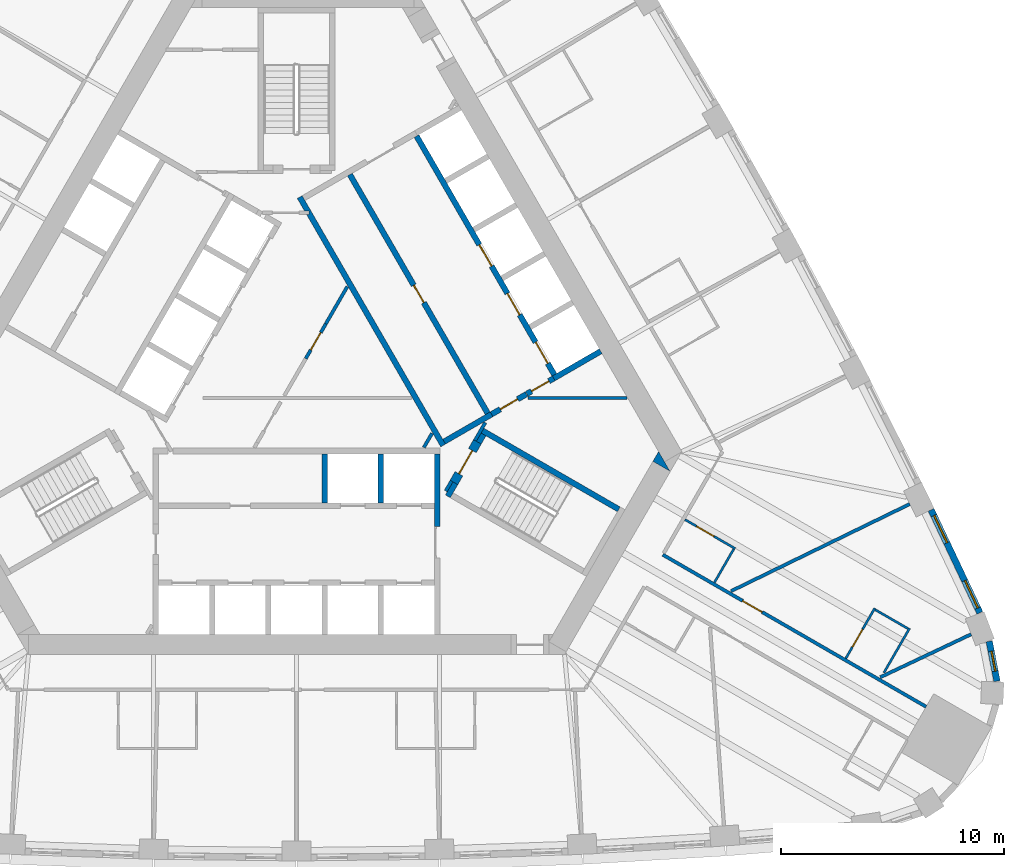
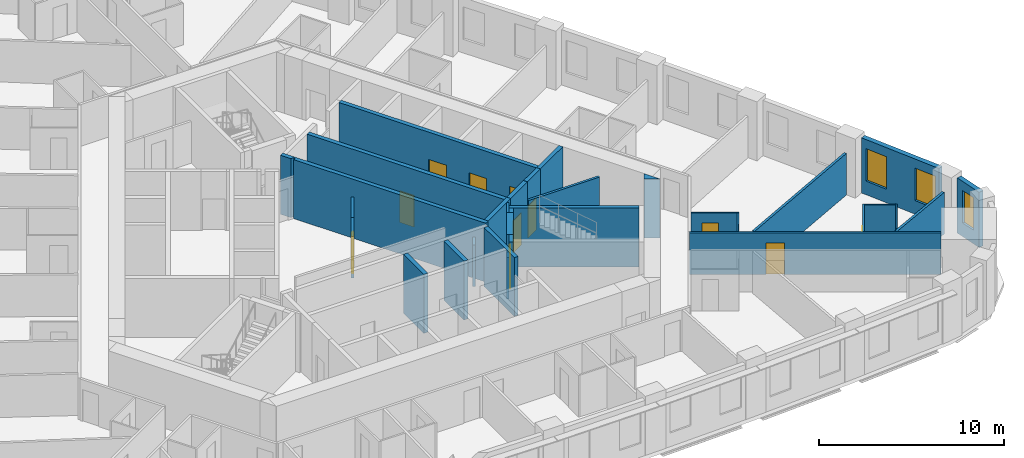
# One storey, part 8 of 13: 31 walls, 11 doors, 3 windows, 14 openings.
"""IFC4 building model written with IfcOpenShell, lengths in metres."""

from ifc_helpers import new_model, si_unit, direction, frame, frame_2d, origin, place, context, subcontext, project, spatial, polyline, rectangle, outline, extrude, material, layer, layer_set, type_object, element, fill, save


model = new_model("IFC4")

# Units and contexts
model_context = context("Model", 3, precision=1e-05, world=origin(), true_north=direction((0.0, 1.0)))
body_context = subcontext(model_context, "Body", "Model", "MODEL_VIEW")
ifc_project = project(units=[si_unit("LENGTHUNIT", "METRE"), si_unit("AREAUNIT", "SQUARE_METRE"), si_unit("VOLUMEUNIT", "CUBIC_METRE"), si_unit("PLANEANGLEUNIT", "RADIAN"), si_unit("MASSUNIT", "GRAM", prefix="KILO")], contexts=[model_context])

# Site, building, storey
site_placement = place(None, origin())
site = spatial("IfcSite", under=ifc_project, at=site_placement, CompositionType="ELEMENT")
building_placement = place(site_placement, origin())
building = spatial("IfcBuilding", under=site, at=building_placement, Name="Mestral Congress Tower", CompositionType="ELEMENT")
storey_placement = place(building_placement, frame((0.0, 0.0, 99.300048828125)))
storey = spatial("IfcBuildingStorey", under=building, at=storey_placement, Name="L23", CompositionType="ELEMENT", Elevation=99.300048828125)

# Walls
ifc_material_1 = material(Name="Fire-rated board partition")
ifc_layer_1 = layer(ifc_material_1, 0.14990234375)
ifc_layer_set_1 = layer_set([ifc_layer_1], Name="Fire-rated board partition")
wall_type_1 = type_object("IfcWallType", Name="Core partition 150", PredefinedType="PARTITIONING", material=ifc_layer_set_1)
wall_1_placement = place(storey_placement, frame((6.94482421875, -5.22216796875, 0.0), z_axis=(0.0, 0.0, 1.0), x_axis=(-0.499818422106, -0.866130212453, 0.0)))
element("IfcWall", 1, at=wall_1_placement, inside=storey, type_object=wall_type_1, Name="L23 core wall", PredefinedType="PARTITIONING", context=body_context, shape_type="SweptSolid", body=[
    extrude(rectangle(XDim=0.513916015625, YDim=0.14990234375, at=frame_2d((0.2568359375, 0.0))), origin(), (0.0, 0.0, 1.0), 2.75),
])
wall_2_placement = place(storey_placement, frame((5.704833984375, -3.718017578125, 0.0), z_axis=(0.0, 0.0, 1.0), x_axis=(0.499962090823, 0.866047289552, 0.0)))
element("IfcWall", 2, at=wall_2_placement, inside=storey, type_object=wall_type_1, Name="L23 core wall", PredefinedType="PARTITIONING", context=body_context, shape_type="SweptSolid", body=[
    extrude(rectangle(XDim=0.73486328125, YDim=0.14990234375, at=frame_2d((0.367431640625, 0.0))), origin(), (0.0, 0.0, 1.0), 2.75),
])
wall_3_placement = place(storey_placement, frame((10.362060546875, -1.5, 0.0), z_axis=(0.0, 0.0, 1.0), x_axis=(1.0, 0.0, 0.0)))
element("IfcWall", 3, at=wall_3_placement, inside=storey, type_object=wall_type_1, Name="L23 core wall", PredefinedType="PARTITIONING", context=body_context, shape_type="SweptSolid", body=[
    extrude(rectangle(XDim=4.439208984375, YDim=0.14990234375, at=frame_2d((2.2197265625, 0.0))), origin(), (0.0, 0.0, 1.0), 2.75),
])
wall_4_placement = place(storey_placement, frame((1.311767578125, 1.822021484375, 0.0), z_axis=(0.0, 0.0, 1.0), x_axis=(0.500003549559, 0.866023354436, 0.0)))
element("IfcWall", 4, at=wall_4_placement, inside=storey, type_object=wall_type_1, Name="L23 core wall", PredefinedType="PARTITIONING", context=body_context, shape_type="SweptSolid", body=[
    extrude(rectangle(XDim=1.9296875, YDim=0.14990234375, at=frame_2d((0.96484375, 0.0))), origin(), (0.0, 0.0, 1.0), 2.75),
])

# Wall, opening, door
wall_5_placement = place(storey_placement, frame((0.41162109375, 0.26318359375, 0.0), z_axis=(0.0, 0.0, 1.0), x_axis=(0.500062916607, 0.865989075817, 0.0)))
wall_5 = element("IfcWall", 5, at=wall_5_placement, inside=storey, type_object=wall_type_1, Name="L23 door wall", PredefinedType="PARTITIONING", context=body_context, shape_type="SweptSolid", body=[
    extrude(rectangle(XDim=1.800048828125, YDim=0.14990234375, at=frame_2d((0.89990234375, 0.0))), origin(), (0.0, 0.0, 1.0), 2.75),
])
opening_1_placement = place(wall_5_placement, frame((0.449951171875, 0.0, 0.0)))
opening_1 = element("IfcOpeningElement", 6, at=opening_1_placement, cuts=wall_5, Name="Opening SD-HUB1", PredefinedType="OPENING", context=body_context, shape_type="SweptSolid", body=[
    extrude(rectangle(XDim=0.89990234375, YDim=2.10009765625, at=frame_2d((0.449951171875, 1.050048828125))), frame((0.0, 0.0849609375, 0.0), z_axis=(0.0, -1.0, 0.0), x_axis=(1.0, 0.0, 0.0)), (0.0, 0.0, 1.0), 0.169921875),
])
ifc_material_2 = material(Name="Fire-rated steel door set", Category="steel")
door_type_1 = type_object("IfcDoorType", Name="Core door SR 900x2100", OperationType="SINGLE_SWING_LEFT", PredefinedType="DOOR", material=ifc_material_2)
door_1_placement = place(opening_1_placement, origin())
door_1 = element("IfcDoor", 7, at=door_1_placement, inside=storey, type_object=door_type_1, Name="Door SD-HUB1", OperationType="SINGLE_SWING_LEFT", OverallHeight=2.10009765625, OverallWidth=0.89990234375, PredefinedType="DOOR", context=body_context, shape_type="SweptSolid", body=[
    extrude(rectangle(XDim=0.89990234375, YDim=2.10009765625, at=frame_2d((0.449951171875, 1.050048828125))), frame((0.0, 0.02490234375, 0.0), z_axis=(0.0, -1.0, 0.0), x_axis=(1.0, 0.0, 0.0)), (0.0, 0.0, 1.0), 0.050048828125),
])
fill(opening_1, door_1)

# Wall
ifc_material_3 = material(Name="Concrete C60/75", Category="concrete")
ifc_layer_2 = layer(ifc_material_3, 0.89990234375)
ifc_layer_set_2 = layer_set([ifc_layer_2], Name="Concrete C60/75")
wall_type_2 = type_object("IfcWallType", Name="Core wall RC 900", PredefinedType="SOLIDWALL", material=ifc_layer_set_2)
placement = place(storey_placement, origin())
element("IfcWall", 8, at=placement, inside=storey, type_object=wall_type_2, Name="L23 core wall", PredefinedType="SOLIDWALL", context=body_context, shape_type="SweptSolid", body=[
    extrude(outline(polyline([(16.223388671875, -3.900146484375), (16.731689453125, -4.780029296875), (15.969482421875, -4.340087890625), (16.223388671875, -3.900146484375)])), origin(), (0.0, 0.0, 1.0), 3.89990234375),
])

# Wall, opening, window
ifc_material_4 = material(Name="Precast concrete C40/50 with limestone facing", Category="masonry")
ifc_layer_3 = layer(ifc_material_4, 0.2900390625)
ifc_layer_set_3 = layer_set([ifc_layer_3], Name="Precast concrete C40/50 with limestone facing")
wall_type_3 = type_object("IfcWallType", Name="Facade stone wall 290", PredefinedType="SOLIDWALL", material=ifc_layer_set_3)
wall_7_placement = place(storey_placement, frame((31.385498046875, -14.189208984375, 0.0), z_axis=(0.0, 0.0, 1.0), x_axis=(-0.190409913989, 0.981704672829, 0.0)))
wall_7 = element("IfcWall", 9, at=wall_7_placement, inside=storey, type_object=wall_type_3, Name="Facade wall K0-3", PredefinedType="SOLIDWALL", context=body_context, shape_type="SweptSolid", body=[
    extrude(rectangle(XDim=1.8193359375, YDim=0.2900390625, at=frame_2d((0.90966796875, 0.0))), origin(), (0.0, 0.0, 1.0), 3.64990234375),
])
opening_2_placement = place(wall_7_placement, frame((0.459716796875, 0.0, 0.89990234375)))
opening_2 = element("IfcOpeningElement", 10, at=opening_2_placement, cuts=wall_7, Name="Opening W3", PredefinedType="OPENING", context=body_context, shape_type="SweptSolid", body=[
    extrude(rectangle(XDim=0.89990234375, YDim=2.14990234375, at=frame_2d((0.449951171875, 1.074951171875))), frame((0.0, 0.155029296875, 0.0), z_axis=(0.0, -1.0, 0.0), x_axis=(1.0, 0.0, 0.0)), (0.0, 0.0, 1.0), 0.31005859375),
])
ifc_material_5 = material(Name="Clear low-emissivity double glazing", Category="glass")
window_type_1 = type_object("IfcWindowType", Name="Facade punched window 900 x 2150 sill 900", PartitioningType="SINGLE_PANEL", PredefinedType="WINDOW", material=ifc_material_5)
window_1_placement = place(opening_2_placement, origin())
window_1 = element("IfcWindow", 11, at=window_1_placement, inside=storey, type_object=window_type_1, Name="Window K0-3", OverallHeight=2.14990234375, OverallWidth=0.89990234375, PartitioningType="SINGLE_PANEL", PredefinedType="WINDOW", context=body_context, shape_type="SweptSolid", body=[
    extrude(rectangle(XDim=0.89990234375, YDim=2.14990234375, at=frame_2d((0.449951171875, 1.074951171875))), frame((0.0, 0.01513671875, 0.0), z_axis=(0.0, -1.0, 0.0), x_axis=(1.0, 0.0, 0.0)), (0.0, 0.0, 1.0), 0.06005859375),
])
fill(opening_2, window_1)

# Wall, openings, windows
wall_8_placement = place(storey_placement, frame((30.61962890625, -11.127197265625, 0.0), z_axis=(0.0, 0.0, 1.0), x_axis=(-0.427543726596, 0.903994669148, 0.0)))
wall_8 = element("IfcWall", 12, at=wall_8_placement, inside=storey, type_object=wall_type_3, Name="Facade wall F1-00", PredefinedType="SOLIDWALL", context=body_context, shape_type="SweptSolid", body=[
    extrude(rectangle(XDim=5.106689453125, YDim=0.2900390625, at=frame_2d((2.55322265625, 0.0))), origin(), (0.0, 0.0, 1.0), 3.64990234375),
])
opening_3_placement = place(wall_8_placement, frame((0.240478515625, 0.0, 0.89990234375)))
opening_3 = element("IfcOpeningElement", 13, at=opening_3_placement, cuts=wall_8, Name="Opening W2", PredefinedType="OPENING", context=body_context, shape_type="SweptSolid", body=[
    extrude(rectangle(XDim=1.35009765625, YDim=2.14990234375, at=frame_2d((0.675048828125, 1.074951171875))), frame((0.0, 0.155029296875, 0.0), z_axis=(0.0, -1.0, 0.0), x_axis=(1.0, 0.0, 0.0)), (0.0, 0.0, 1.0), 0.31005859375),
])
opening_4_placement = place(wall_8_placement, frame((3.47119140625, 0.0, 0.89990234375)))
opening_4 = element("IfcOpeningElement", 14, at=opening_4_placement, cuts=wall_8, Name="Opening W2", PredefinedType="OPENING", context=body_context, shape_type="SweptSolid", body=[
    extrude(rectangle(XDim=1.35009765625, YDim=2.14990234375, at=frame_2d((0.675048828125, 1.074951171875))), frame((0.0, 0.155029296875, 0.0), z_axis=(0.0, -1.0, 0.0), x_axis=(1.0, 0.0, 0.0)), (0.0, 0.0, 1.0), 0.31005859375),
])
window_type_2 = type_object("IfcWindowType", Name="Facade punched window 1350 x 2150 sill 900", PartitioningType="DOUBLE_PANEL_VERTICAL", PredefinedType="WINDOW", material=ifc_material_5)
window_2_placement = place(opening_3_placement, origin())
window_2 = element("IfcWindow", 15, at=window_2_placement, inside=storey, type_object=window_type_2, Name="Window F1-00a", OverallHeight=2.14990234375, OverallWidth=1.35009765625, PartitioningType="DOUBLE_PANEL_VERTICAL", PredefinedType="WINDOW", context=body_context, shape_type="SweptSolid", body=[
    extrude(rectangle(XDim=1.35009765625, YDim=2.14990234375, at=frame_2d((0.675048828125, 1.074951171875))), frame((0.0, 0.01513671875, 0.0), z_axis=(0.0, -1.0, 0.0), x_axis=(1.0, 0.0, 0.0)), (0.0, 0.0, 1.0), 0.06005859375),
])
fill(opening_3, window_2)
window_3_placement = place(opening_4_placement, origin())
window_3 = element("IfcWindow", 16, at=window_3_placement, inside=storey, type_object=window_type_2, Name="Window F1-00b", OverallHeight=2.14990234375, OverallWidth=1.35009765625, PartitioningType="DOUBLE_PANEL_VERTICAL", PredefinedType="WINDOW", context=body_context, shape_type="SweptSolid", body=[
    extrude(rectangle(XDim=1.35009765625, YDim=2.14990234375, at=frame_2d((0.675048828125, 1.074951171875))), frame((0.0, 0.01513671875, 0.0), z_axis=(0.0, -1.0, 0.0), x_axis=(1.0, 0.0, 0.0)), (0.0, 0.0, 1.0), 0.06005859375),
])
fill(opening_4, window_3)

# Wall, opening, door
ifc_material_6 = material(Name="Gypsum board partition on metal studs with mineral wool", Category="composite")
ifc_layer_4 = layer(ifc_material_6, 0.10009765625)
ifc_layer_set_4 = layer_set([ifc_layer_4], Name="Gypsum board partition on metal studs with mineral wool")
wall_type_4 = type_object("IfcWallType", Name="Hotel partition wall 100", PredefinedType="PARTITIONING", material=ifc_layer_set_4)
wall_9_placement = place(storey_placement, frame((25.91015625, -10.917724609375, 0.0), z_axis=(0.0, 0.0, 1.0), x_axis=(-0.500006934395, -0.866021400173, 0.0)))
wall_9 = element("IfcWall", 17, at=wall_9_placement, inside=storey, type_object=wall_type_4, Name="L23-h-pod09a", PredefinedType="PARTITIONING", context=body_context, shape_type="SweptSolid", body=[
    extrude(rectangle(XDim=2.60009765625, YDim=0.10009765625, at=frame_2d((1.300048828125, 0.0))), origin(), (0.0, 0.0, 1.0), 2.75),
])
opening_5_placement = place(wall_9_placement, frame((1.10009765625, 0.0, 0.0)))
opening_5 = element("IfcOpeningElement", 18, at=opening_5_placement, cuts=wall_9, Name="Opening H07-018", PredefinedType="OPENING", context=body_context, shape_type="SweptSolid", body=[
    extrude(rectangle(XDim=0.89990234375, YDim=2.10009765625, at=frame_2d((0.449951171875, 1.050048828125))), frame((0.0, 0.06005859375, 0.0), z_axis=(0.0, -1.0, 0.0), x_axis=(1.0, 0.0, 0.0)), (0.0, 0.0, 1.0), 0.1201171875),
])
ifc_material_7 = material(Name="Timber veneer door leaf in timber frame", Category="wood")
door_type_2 = type_object("IfcDoorType", Name="Bathroom door 900", OperationType="SINGLE_SWING_LEFT", PredefinedType="DOOR", material=ifc_material_7)
door_2_placement = place(opening_5_placement, origin())
door_2 = element("IfcDoor", 19, at=door_2_placement, inside=storey, type_object=door_type_2, Name="L23-h-d018", OperationType="SINGLE_SWING_RIGHT", OverallHeight=2.10009765625, OverallWidth=0.89990234375, PredefinedType="DOOR", context=body_context, shape_type="SweptSolid", body=[
    extrude(rectangle(XDim=0.89990234375, YDim=2.10009765625, at=frame_2d((0.449951171875, 1.050048828125))), frame((0.0, 0.02490234375, 0.0), z_axis=(0.0, -1.0, 0.0), x_axis=(1.0, 0.0, 0.0)), (0.0, 0.0, 1.0), 0.050048828125),
])
fill(opening_5, door_2)

# Walls
wall_10_placement = place(storey_placement, frame((25.928466796875, -10.986083984375, 0.0), z_axis=(0.0, 0.0, 1.0), x_axis=(0.866025371046, -0.500000056704, 0.0)))
element("IfcWall", 20, at=wall_10_placement, inside=storey, type_object=wall_type_4, Name="L23-h-pod09b", PredefinedType="PARTITIONING", context=body_context, shape_type="SweptSolid", body=[
    extrude(rectangle(XDim=1.7001953125, YDim=0.10009765625, at=frame_2d((0.85009765625, 0.0))), origin(), (0.0, 0.0, 1.0), 2.75),
])
wall_11_placement = place(storey_placement, frame((26.319091796875, -13.809814453125, 0.0), z_axis=(0.0, 0.0, 1.0), x_axis=(0.499952165731, 0.866053019151, 0.0)))
element("IfcWall", 21, at=wall_11_placement, inside=storey, type_object=wall_type_4, Name="L23-h-pod09c", PredefinedType="PARTITIONING", context=body_context, shape_type="SweptSolid", body=[
    extrude(rectangle(XDim=2.300048828125, YDim=0.10009765625, at=frame_2d((1.14990234375, 0.0))), origin(), (0.0, 0.0, 1.0), 2.75),
])

# Wall, opening, door
wall_12_placement = place(storey_placement, frame((19.658935546875, -8.249755859375, 0.0), z_axis=(0.0, 0.0, 1.0), x_axis=(-0.866021400173, 0.500006934395, 0.0)))
wall_12 = element("IfcWall", 22, at=wall_12_placement, inside=storey, type_object=wall_type_4, Name="L23-h-pod10a", PredefinedType="PARTITIONING", context=body_context, shape_type="SweptSolid", body=[
    extrude(rectangle(XDim=2.60009765625, YDim=0.10009765625, at=frame_2d((1.300048828125, 0.0))), origin(), (0.0, 0.0, 1.0), 2.75),
])
opening_6_placement = place(wall_12_placement, frame((1.10009765625, 0.0, 0.0)))
opening_6 = element("IfcOpeningElement", 23, at=opening_6_placement, cuts=wall_12, Name="Opening H07-020", PredefinedType="OPENING", context=body_context, shape_type="SweptSolid", body=[
    extrude(rectangle(XDim=0.89990234375, YDim=2.10009765625, at=frame_2d((0.449951171875, 1.050048828125))), frame((0.0, 0.06005859375, 0.0), z_axis=(0.0, -1.0, 0.0), x_axis=(1.0, 0.0, 0.0)), (0.0, 0.0, 1.0), 0.1201171875),
])
door_3_placement = place(opening_6_placement, origin())
door_3 = element("IfcDoor", 24, at=door_3_placement, inside=storey, type_object=door_type_2, Name="L23-h-d020", OperationType="SINGLE_SWING_LEFT", OverallHeight=2.10009765625, OverallWidth=0.89990234375, PredefinedType="DOOR", context=body_context, shape_type="SweptSolid", body=[
    extrude(rectangle(XDim=0.89990234375, YDim=2.10009765625, at=frame_2d((0.449951171875, 1.050048828125))), frame((0.0, 0.02490234375, 0.0), z_axis=(0.0, -1.0, 0.0), x_axis=(1.0, 0.0, 0.0)), (0.0, 0.0, 1.0), 0.050048828125),
])
fill(opening_6, door_3)

# Wall
wall_13_placement = place(storey_placement, frame((19.590576171875, -8.26806640625, 0.0), z_axis=(0.0, 0.0, 1.0), x_axis=(-0.500040090343, -0.866002256377, 0.0)))
element("IfcWall", 25, at=wall_13_placement, inside=storey, type_object=wall_type_4, Name="L23-h-pod10b", PredefinedType="PARTITIONING", context=body_context, shape_type="SweptSolid", body=[
    extrude(rectangle(XDim=1.729736328125, YDim=0.10009765625, at=frame_2d((0.86474609375, 0.0))), origin(), (0.0, 0.0, 1.0), 2.75),
])

# Wall, opening, door
ifc_layer_5 = layer(ifc_material_6, 0.14990234375)
ifc_layer_set_5 = layer_set([ifc_layer_5], Name="Gypsum board partition on metal studs with mineral wool")
wall_type_5 = type_object("IfcWallType", Name="Hotel partition wall 150", PredefinedType="PARTITIONING", material=ifc_layer_set_5)
wall_14_placement = place(storey_placement, frame((16.412353515625, -8.52294921875, 0.0), z_axis=(0.0, 0.0, 1.0), x_axis=(0.866025629663, -0.499999608766, 0.0)))
wall_14 = element("IfcWall", 26, at=wall_14_placement, inside=storey, type_object=wall_type_5, Name="L23-h-cw01", PredefinedType="PARTITIONING", context=body_context, shape_type="SweptSolid", body=[
    extrude(rectangle(XDim=13.62353515625, YDim=0.14990234375, at=frame_2d((6.811767578125, 0.0))), origin(), (0.0, 0.0, 1.0), 2.75),
])
opening_7_placement = place(wall_14_placement, frame((4.134033203125, 0.0, 0.0)))
opening_7 = element("IfcOpeningElement", 27, at=opening_7_placement, cuts=wall_14, Name="Opening H07-017", PredefinedType="OPENING", context=body_context, shape_type="SweptSolid", body=[
    extrude(rectangle(XDim=1.0, YDim=2.10009765625, at=frame_2d((0.5, 1.050048828125))), frame((0.0, 0.0849609375, 0.0), z_axis=(0.0, -1.0, 0.0), x_axis=(1.0, 0.0, 0.0)), (0.0, 0.0, 1.0), 0.169921875),
])
ifc_material_8 = material(Name="Timber veneer door leaf in metal frame", Category="wood")
door_type_3 = type_object("IfcDoorType", Name="Guest room entrance door 1000", OperationType="SINGLE_SWING_LEFT", PredefinedType="DOOR", material=ifc_material_8)
door_4_placement = place(opening_7_placement, origin())
door_4 = element("IfcDoor", 28, at=door_4_placement, inside=storey, type_object=door_type_3, Name="L23-h-d017", OperationType="SINGLE_SWING_LEFT", OverallHeight=2.10009765625, OverallWidth=1.0, PredefinedType="DOOR", context=body_context, shape_type="SweptSolid", body=[
    extrude(rectangle(XDim=1.0, YDim=2.10009765625, at=frame_2d((0.5, 1.050048828125))), frame((0.0, 0.02490234375, 0.0), z_axis=(0.0, -1.0, 0.0), x_axis=(1.0, 0.0, 0.0)), (0.0, 0.0, 1.0), 0.050048828125),
])
fill(opening_7, door_4)

# Walls
wall_15_placement = place(storey_placement, frame((27.478515625, -6.2509765625, 0.0), z_axis=(0.0, 0.0, 1.0), x_axis=(-0.898945877276, -0.438059710231, 0.0)))
element("IfcWall", 29, at=wall_15_placement, inside=storey, type_object=wall_type_5, Name="L23-h-pw27", PredefinedType="PARTITIONING", context=body_context, shape_type="SweptSolid", body=[
    extrude(rectangle(XDim=8.909423828125, YDim=0.14990234375, at=frame_2d((4.45458984375, 0.0))), origin(), (0.0, 0.0, 1.0), 2.75),
])
wall_16_placement = place(storey_placement, frame((30.23095703125, -12.08544921875, 0.0), z_axis=(0.0, 0.0, 1.0), x_axis=(-0.904001132572, -0.427530060122, 0.0)))
element("IfcWall", 30, at=wall_16_placement, inside=storey, type_object=wall_type_5, Name="L23-h-pw28", PredefinedType="PARTITIONING", context=body_context, shape_type="SweptSolid", body=[
    extrude(rectangle(XDim=4.509521484375, YDim=0.14990234375, at=frame_2d((2.2548828125, 0.0))), origin(), (0.0, 0.0, 1.0), 2.75),
])
ifc_layer_6 = layer(ifc_material_3, 0.25)
ifc_layer_set_6 = layer_set([ifc_layer_6], Name="Concrete C60/75")
wall_type_6 = type_object("IfcWallType", Name="Shaft wall RC 250", PredefinedType="SOLIDWALL", material=ifc_layer_set_6)
wall_17_placement = place(storey_placement, frame((6.300048828125, -7.26806640625, 0.0), z_axis=(0.0, 0.0, 1.0), x_axis=(0.0, 1.0, 0.0)))
element("IfcWall", 31, at=wall_17_placement, inside=storey, type_object=wall_type_6, Name="L23 core wall", PredefinedType="SOLIDWALL", context=body_context, shape_type="SweptSolid", body=[
    extrude(rectangle(XDim=3.26806640625, YDim=0.25, at=frame_2d((1.634033203125, 0.0))), origin(), (0.0, 0.0, 1.0), 3.89990234375),
])
for number, where, z_axis, x_axis, name in (
    (32, (3.780029296875, -4.0, 0.0), (0.0, 0.0, 1.0), (0.0, -1.0, 0.0), "L23 core wall"),
    (33, (1.260009765625, -4.0, 0.0), (0.0, 0.0, 1.0), (0.0, -1.0, 0.0), "L23 core wall"),
):
    element("IfcWall", number, at=place(storey_placement, frame(where, z_axis=z_axis, x_axis=x_axis)), inside=storey, type_object=wall_type_6, Name=name, PredefinedType="SOLIDWALL", context=body_context, shape_type="SweptSolid", body=[
        extrude(rectangle(XDim=2.199951171875, YDim=0.25, at=frame_2d((1.10009765625, 0.0))), origin(), (0.0, 0.0, 1.0), 3.89990234375),
    ])
wall_18_placement = place(storey_placement, frame((13.62890625, 0.593994140625, 0.0), z_axis=(0.0, 0.0, 1.0), x_axis=(-0.866063384774, -0.499934209226, 0.0)))
element("IfcWall", 34, at=wall_18_placement, inside=storey, type_object=wall_type_6, Name="L23 core wall", PredefinedType="SOLIDWALL", context=body_context, shape_type="SweptSolid", body=[
    extrude(rectangle(XDim=2.428466796875, YDim=0.25, at=frame_2d((1.21435546875, 0.0))), origin(), (0.0, 0.0, 1.0), 3.89990234375),
])
element("IfcWall", 35, at=placement, inside=storey, type_object=wall_type_6, Name="L23 core wall", PredefinedType="SOLIDWALL", context=body_context, shape_type="SweptSolid", body=[
    extrude(outline(polyline([(0.565673828125, 6.72509765625), (0.565673828125, 6.875), (0.565673828125, 6.875), (0.5654296875, 6.875), (0.36083984375, 6.875), (0.03515625, 7.439208984375), (0.251708984375, 7.564208984375), (0.376708984375, 7.34765625), (6.551513671875, -3.34765625), (6.676513671875, -3.564208984375), (6.460205078125, -3.689208984375), (0.447509765625, 6.724853515625), (0.5654296875, 6.724853515625), (0.565673828125, 6.724853515625), (0.565673828125, 6.72509765625)])), origin(), (0.0, 0.0, 1.0), 3.89990234375),
])
wall_20_placement = place(storey_placement, frame((6.614013671875, -3.4560546875, 0.0), z_axis=(0.0, 0.0, 1.0), x_axis=(0.866031582473, 0.499989298045, 0.0)))
element("IfcWall", 36, at=wall_20_placement, inside=storey, type_object=wall_type_6, Name="L23 core wall", PredefinedType="SOLIDWALL", context=body_context, shape_type="SweptSolid", body=[
    extrude(rectangle(XDim=2.455078125, YDim=0.25, at=frame_2d((1.2275390625, 0.0))), origin(), (0.0, 0.0, 1.0), 3.89990234375),
])

# Wall, openings, doors
wall_21_placement = place(storey_placement, frame((11.552978515625, -0.460205078125, 0.0), z_axis=(0.0, 0.0, 1.0), x_axis=(-0.500006514828, 0.866021642414, 0.0)))
wall_21 = element("IfcWall", 37, at=wall_21_placement, inside=storey, type_object=wall_type_6, Name="L23 door wall", PredefinedType="SOLIDWALL", context=body_context, shape_type="SweptSolid", body=[
    extrude(rectangle(XDim=12.349853515625, YDim=0.25, at=frame_2d((6.1748046875, 0.0))), origin(), (0.0, 0.0, 1.0), 3.89990234375),
])
opening_8_placement = place(wall_21_placement, frame((0.5849609375, 0.0, 0.0)))
opening_8 = element("IfcOpeningElement", 38, at=opening_8_placement, cuts=wall_21, Name="Opening LD-NEA1", PredefinedType="OPENING", context=body_context, shape_type="SweptSolid", body=[
    extrude(rectangle(XDim=1.10009765625, YDim=2.10009765625, at=frame_2d((0.550048828125, 1.050048828125))), frame((0.0, 0.135009765625, 0.0), z_axis=(0.0, -1.0, 0.0), x_axis=(1.0, 0.0, 0.0)), (0.0, 0.0, 1.0), 0.27001953125),
])
opening_9_placement = place(wall_21_placement, frame((3.10498046875, 0.0, 0.0)))
opening_9 = element("IfcOpeningElement", 39, at=opening_9_placement, cuts=wall_21, Name="Opening LD-NEA2", PredefinedType="OPENING", context=body_context, shape_type="SweptSolid", body=[
    extrude(rectangle(XDim=1.10009765625, YDim=2.10009765625, at=frame_2d((0.550048828125, 1.050048828125))), frame((0.0, 0.135009765625, 0.0), z_axis=(0.0, -1.0, 0.0), x_axis=(1.0, 0.0, 0.0)), (0.0, 0.0, 1.0), 0.27001953125),
])
opening_10_placement = place(wall_21_placement, frame((5.625, 0.0, 0.0)))
opening_10 = element("IfcOpeningElement", 40, at=opening_10_placement, cuts=wall_21, Name="Opening LD-NEA3", PredefinedType="OPENING", context=body_context, shape_type="SweptSolid", body=[
    extrude(rectangle(XDim=1.10009765625, YDim=2.10009765625, at=frame_2d((0.550048828125, 1.050048828125))), frame((0.0, 0.135009765625, 0.0), z_axis=(0.0, -1.0, 0.0), x_axis=(1.0, 0.0, 0.0)), (0.0, 0.0, 1.0), 0.27001953125),
])
door_type_4 = type_object("IfcDoorType", Name="Core door LD 1100x2100", OperationType="DOUBLE_DOOR_SLIDING", PredefinedType="DOOR", material=ifc_material_2)
door_5_placement = place(opening_8_placement, origin())
door_5 = element("IfcDoor", 41, at=door_5_placement, inside=storey, type_object=door_type_4, Name="Door LD-NEA1", OperationType="DOUBLE_DOOR_SLIDING", OverallHeight=2.10009765625, OverallWidth=1.10009765625, PredefinedType="DOOR", context=body_context, shape_type="SweptSolid", body=[
    extrude(rectangle(XDim=1.10009765625, YDim=2.10009765625, at=frame_2d((0.550048828125, 1.050048828125))), frame((0.0, 0.02490234375, 0.0), z_axis=(0.0, -1.0, 0.0), x_axis=(1.0, 0.0, 0.0)), (0.0, 0.0, 1.0), 0.050048828125),
])
fill(opening_8, door_5)
door_6_placement = place(opening_9_placement, origin())
door_6 = element("IfcDoor", 42, at=door_6_placement, inside=storey, type_object=door_type_4, Name="Door LD-NEA2", OperationType="DOUBLE_DOOR_SLIDING", OverallHeight=2.10009765625, OverallWidth=1.10009765625, PredefinedType="DOOR", context=body_context, shape_type="SweptSolid", body=[
    extrude(rectangle(XDim=1.10009765625, YDim=2.10009765625, at=frame_2d((0.550048828125, 1.050048828125))), frame((0.0, 0.02490234375, 0.0), z_axis=(0.0, -1.0, 0.0), x_axis=(1.0, 0.0, 0.0)), (0.0, 0.0, 1.0), 0.050048828125),
])
fill(opening_9, door_6)
door_7_placement = place(opening_10_placement, origin())
door_7 = element("IfcDoor", 43, at=door_7_placement, inside=storey, type_object=door_type_4, Name="Door LD-NEA3", OperationType="DOUBLE_DOOR_SLIDING", OverallHeight=2.10009765625, OverallWidth=1.10009765625, PredefinedType="DOOR", context=body_context, shape_type="SweptSolid", body=[
    extrude(rectangle(XDim=1.10009765625, YDim=2.10009765625, at=frame_2d((0.550048828125, 1.050048828125))), frame((0.0, 0.02490234375, 0.0), z_axis=(0.0, -1.0, 0.0), x_axis=(1.0, 0.0, 0.0)), (0.0, 0.0, 1.0), 0.050048828125),
])
fill(opening_10, door_7)

# Wall, opening, door
wall_22_placement = place(storey_placement, frame((8.565185546875, -2.185302734375, 0.0), z_axis=(0.0, 0.0, 1.0), x_axis=(-0.499997954832, 0.866026584559, 0.0)))
wall_22 = element("IfcWall", 44, at=wall_22_placement, inside=storey, type_object=wall_type_6, Name="L23 door wall", PredefinedType="SOLIDWALL", context=body_context, shape_type="SweptSolid", body=[
    extrude(rectangle(XDim=12.35009765625, YDim=0.25, at=frame_2d((6.175048828125, 0.0))), origin(), (0.0, 0.0, 1.0), 3.89990234375),
])
opening_11_placement = place(wall_22_placement, frame((5.72509765625, 0.0, 0.0)))
opening_11 = element("IfcOpeningElement", 45, at=opening_11_placement, cuts=wall_22, Name="Opening SR-NEB1", PredefinedType="OPENING", context=body_context, shape_type="SweptSolid", body=[
    extrude(rectangle(XDim=0.89990234375, YDim=2.10009765625, at=frame_2d((0.449951171875, 1.050048828125))), frame((0.0, 0.135009765625, 0.0), z_axis=(0.0, -1.0, 0.0), x_axis=(1.0, 0.0, 0.0)), (0.0, 0.0, 1.0), 0.27001953125),
])
door_8_placement = place(opening_11_placement, origin())
door_8 = element("IfcDoor", 46, at=door_8_placement, inside=storey, type_object=door_type_1, Name="Door SR-NEB1", OperationType="SINGLE_SWING_LEFT", OverallHeight=2.10009765625, OverallWidth=0.89990234375, PredefinedType="DOOR", context=body_context, shape_type="SweptSolid", body=[
    extrude(rectangle(XDim=0.89990234375, YDim=2.10009765625, at=frame_2d((0.449951171875, 1.050048828125))), frame((0.0, 0.02490234375, 0.0), z_axis=(0.0, -1.0, 0.0), x_axis=(1.0, 0.0, 0.0)), (0.0, 0.0, 1.0), 0.050048828125),
])
fill(opening_11, door_8)

wall_23_placement = place(storey_placement, frame((8.740478515625, -2.228515625, 0.0), z_axis=(0.0, 0.0, 1.0), x_axis=(0.865989075817, 0.500062916607, 0.0)))
wall_23 = element("IfcWall", 47, at=wall_23_placement, inside=storey, type_object=wall_type_6, Name="L23 door wall", PredefinedType="SOLIDWALL", context=body_context, shape_type="SweptSolid", body=[
    extrude(rectangle(XDim=1.800048828125, YDim=0.25, at=frame_2d((0.89990234375, 0.0))), origin(), (0.0, 0.0, 1.0), 3.89990234375),
])
opening_12_placement = place(wall_23_placement, frame((0.449951171875, 0.0, 0.0)))
opening_12 = element("IfcOpeningElement", 48, at=opening_12_placement, cuts=wall_23, Name="Opening TD1", PredefinedType="OPENING", context=body_context, shape_type="SweptSolid", body=[
    extrude(rectangle(XDim=0.89990234375, YDim=2.10009765625, at=frame_2d((0.449951171875, 1.050048828125))), frame((0.0, 0.135009765625, 0.0), z_axis=(0.0, -1.0, 0.0), x_axis=(1.0, 0.0, 0.0)), (0.0, 0.0, 1.0), 0.27001953125),
])
door_9_placement = place(opening_12_placement, origin())
door_9 = element("IfcDoor", 49, at=door_9_placement, inside=storey, type_object=door_type_1, Name="Door TD1", OperationType="SINGLE_SWING_LEFT", OverallHeight=2.10009765625, OverallWidth=0.89990234375, PredefinedType="DOOR", context=body_context, shape_type="SweptSolid", body=[
    extrude(rectangle(XDim=0.89990234375, YDim=2.10009765625, at=frame_2d((0.449951171875, 1.050048828125))), frame((0.0, 0.02490234375, 0.0), z_axis=(0.0, -1.0, 0.0), x_axis=(1.0, 0.0, 0.0)), (0.0, 0.0, 1.0), 0.050048828125),
])
fill(opening_12, door_9)

wall_24_placement = place(storey_placement, frame((10.31298828125, -1.3203125, 0.0), z_axis=(0.0, 0.0, 1.0), x_axis=(0.866034573852, 0.49998411664, 0.0)))
wall_24 = element("IfcWall", 50, at=wall_24_placement, inside=storey, type_object=wall_type_6, Name="L23 door wall", PredefinedType="SOLIDWALL", context=body_context, shape_type="SweptSolid", body=[
    extrude(rectangle(XDim=1.39990234375, YDim=0.25, at=frame_2d((0.699951171875, 0.0))), origin(), (0.0, 0.0, 1.0), 3.89990234375),
])
opening_13_placement = place(wall_24_placement, frame((0.25, 0.0, 0.0)))
opening_13 = element("IfcOpeningElement", 51, at=opening_13_placement, cuts=wall_24, Name="Opening SD-HUB2", PredefinedType="OPENING", context=body_context, shape_type="SweptSolid", body=[
    extrude(rectangle(XDim=0.89990234375, YDim=2.10009765625, at=frame_2d((0.449951171875, 1.050048828125))), frame((0.0, 0.135009765625, 0.0), z_axis=(0.0, -1.0, 0.0), x_axis=(1.0, 0.0, 0.0)), (0.0, 0.0, 1.0), 0.27001953125),
])
door_10_placement = place(opening_13_placement, origin())
door_10 = element("IfcDoor", 52, at=door_10_placement, inside=storey, type_object=door_type_1, Name="Door SD-HUB2", OperationType="SINGLE_SWING_LEFT", OverallHeight=2.10009765625, OverallWidth=0.89990234375, PredefinedType="DOOR", context=body_context, shape_type="SweptSolid", body=[
    extrude(rectangle(XDim=0.89990234375, YDim=2.10009765625, at=frame_2d((0.449951171875, 1.050048828125))), frame((0.0, 0.02490234375, 0.0), z_axis=(0.0, -1.0, 0.0), x_axis=(1.0, 0.0, 0.0)), (0.0, 0.0, 1.0), 0.050048828125),
])
fill(opening_13, door_10)

# Walls
ifc_layer_7 = layer(ifc_material_3, 0.14990234375)
ifc_layer_set_7 = layer_set([ifc_layer_7], Name="Concrete C60/75")
wall_type_7 = type_object("IfcWallType", Name="Shaft wall RC 250 door-wall 150", PredefinedType="SOLIDWALL", material=ifc_layer_set_7)
wall_25_placement = place(storey_placement, frame((8.459228515625, -2.59912109375, 0.0), z_axis=(0.0, 0.0, 1.0), x_axis=(-0.500041054325, -0.866001699761, 0.0)))
element("IfcWall", 53, at=wall_25_placement, inside=storey, type_object=wall_type_7, Name="L23 core wall", PredefinedType="PARTITIONING", context=body_context, shape_type="SweptSolid", body=[
    extrude(rectangle(XDim=0.9287109375, YDim=0.14990234375, at=frame_2d((0.46435546875, 0.0))), origin(), (0.0, 0.0, 1.0), 3.89990234375),
])
ifc_layer_8 = layer(ifc_material_3, 0.25)
ifc_layer_set_8 = layer_set([ifc_layer_8], Name="Concrete C60/75")
wall_type_8 = type_object("IfcWallType", Name="Stair wall RC 250", PredefinedType="SOLIDWALL", material=ifc_layer_set_8)
wall_26_placement = place(storey_placement, frame((6.780029296875, -5.906494140625, 0.0), z_axis=(0.0, 0.0, 1.0), x_axis=(0.500223362819, 0.865896406789, 0.0)))
element("IfcWall", 54, at=wall_26_placement, inside=storey, type_object=wall_type_8, Name="L23 core wall", PredefinedType="SOLIDWALL", context=body_context, shape_type="SweptSolid", body=[
    extrude(rectangle(XDim=0.675048828125, YDim=0.25, at=frame_2d((0.33740234375, 0.0))), origin(), (0.0, 0.0, 1.0), 3.89990234375),
])
wall_27_placement = place(storey_placement, frame((8.33447265625, -2.96435546875, 0.0), z_axis=(0.0, 0.0, 1.0), x_axis=(0.866016039709, -0.500016218704, 0.0)))
element("IfcWall", 55, at=wall_27_placement, inside=storey, type_object=wall_type_8, Name="L23 core wall", PredefinedType="SOLIDWALL", context=body_context, shape_type="SweptSolid", body=[
    extrude(rectangle(XDim=7.050048828125, YDim=0.25, at=frame_2d((3.52490234375, 0.0))), origin(), (0.0, 0.0, 1.0), 3.89990234375),
])
wall_28_placement = place(storey_placement, frame((8.167724609375, -3.503173828125, 0.0), z_axis=(0.0, 0.0, 1.0), x_axis=(0.49972245349, 0.866185586049, 0.0)))
element("IfcWall", 56, at=wall_28_placement, inside=storey, type_object=wall_type_8, Name="L23 core wall", PredefinedType="SOLIDWALL", context=body_context, shape_type="SweptSolid", body=[
    extrude(rectangle(XDim=0.425048828125, YDim=0.25, at=frame_2d((0.21240234375, 0.0))), origin(), (0.0, 0.0, 1.0), 3.89990234375),
])

# Wall, opening, door
ifc_layer_9 = layer(ifc_material_3, 0.39990234375)
ifc_layer_set_9 = layer_set([ifc_layer_9], Name="Concrete C60/75")
wall_type_9 = type_object("IfcWallType", Name="Stair wall RC 250 door-wall 400", PredefinedType="SOLIDWALL", material=ifc_layer_set_9)
wall_29_placement = place(storey_placement, frame((7.052734375, -5.2841796875, 0.0), z_axis=(0.0, 0.0, 1.0), x_axis=(0.500078061341, 0.865980330357, 0.0)))
wall_29 = element("IfcWall", 57, at=wall_29_placement, inside=storey, type_object=wall_type_9, Name="L23 door wall", PredefinedType="SOLIDWALL", context=body_context, shape_type="SweptSolid", body=[
    extrude(rectangle(XDim=2.099853515625, YDim=0.39990234375, at=frame_2d((1.0498046875, 0.0))), origin(), (0.0, 0.0, 1.0), 3.89990234375),
])
opening_14_placement = place(wall_29_placement, frame((0.449951171875, 0.0, 0.0)))
opening_14 = element("IfcOpeningElement", 58, at=opening_14_placement, cuts=wall_29, Name="Opening ST-D1", PredefinedType="OPENING", context=body_context, shape_type="SweptSolid", body=[
    extrude(rectangle(XDim=1.199951171875, YDim=2.10009765625, at=frame_2d((0.60009765625, 1.050048828125))), frame((0.0, 0.2099609375, 0.0), z_axis=(0.0, -1.0, 0.0), x_axis=(1.0, 0.0, 0.0)), (0.0, 0.0, 1.0), 0.419921875),
])
door_type_5 = type_object("IfcDoorType", Name="Core door ST 1200x2100", OperationType="SINGLE_SWING_LEFT", PredefinedType="DOOR", material=ifc_material_2)
door_11_placement = place(opening_14_placement, origin())
door_11 = element("IfcDoor", 59, at=door_11_placement, inside=storey, type_object=door_type_5, Name="Door ST-D1", OperationType="SINGLE_SWING_LEFT", OverallHeight=2.10009765625, OverallWidth=1.199951171875, PredefinedType="DOOR", context=body_context, shape_type="SweptSolid", body=[
    extrude(rectangle(XDim=1.199951171875, YDim=2.10009765625, at=frame_2d((0.60009765625, 1.050048828125))), frame((0.0, 0.02490234375, 0.0), z_axis=(0.0, -1.0, 0.0), x_axis=(1.0, 0.0, 0.0)), (0.0, 0.0, 1.0), 0.050048828125),
])
fill(opening_14, door_11)

save(model, "model.ifc")
